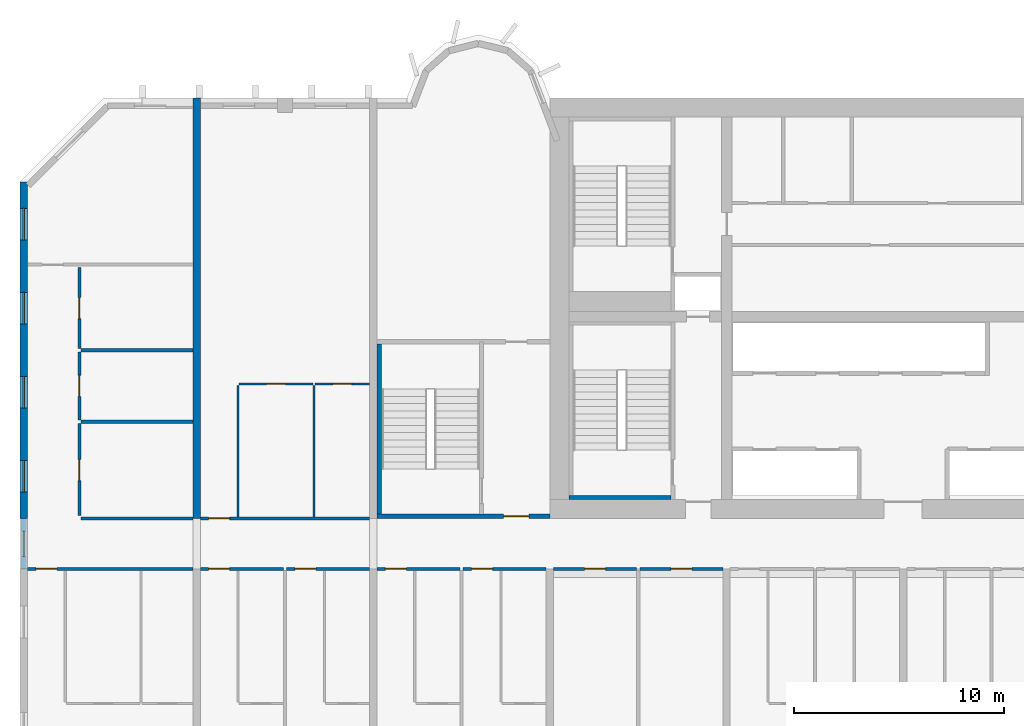
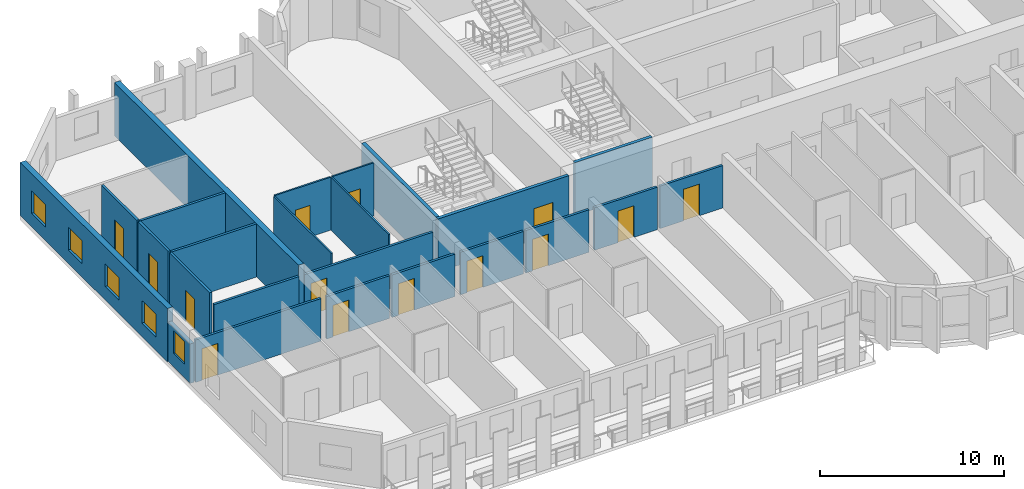
# One storey, part 3 of 14: 24 walls, 14 doors, 5 windows, 19 openings.
"""IFC4 building model written with IfcOpenShell, lengths in metres."""

from ifc_helpers import new_model, si_unit, direction, frame, frame_2d, origin, place, context, subcontext, project, spatial, rectangle, extrude, source, transform, mapped, material, layer, layer_set, type_object, element, fill, save


model = new_model("IFC4")

# Units and contexts
model_context = context("Model", 3, precision=1e-05, world=origin(), true_north=direction((0.0, 1.0)))
body_context = subcontext(model_context, "Body", "Model", "MODEL_VIEW")
ifc_project = project(units=[si_unit("LENGTHUNIT", "METRE"), si_unit("AREAUNIT", "SQUARE_METRE"), si_unit("VOLUMEUNIT", "CUBIC_METRE"), si_unit("PLANEANGLEUNIT", "RADIAN"), si_unit("MASSUNIT", "GRAM", prefix="KILO")], contexts=[model_context])

# Site, building, storey
site_placement = place(None, origin())
site = spatial("IfcSite", under=ifc_project, at=site_placement, CompositionType="ELEMENT")
building_placement = place(site_placement, origin())
building = spatial("IfcBuilding", under=site, at=building_placement, Name="Vanashikhar Sky Hotel", CompositionType="ELEMENT")
storey_placement = place(building_placement, frame((0.0, 0.0, 129.39990234375)))
storey = spatial("IfcBuildingStorey", under=building, at=storey_placement, Name="L31", CompositionType="ELEMENT", Elevation=129.39990234375)

# Wall, openings, windows
ifc_material_1 = material(Name="Concrete M70", Category="concrete")
ifc_layer_1 = layer(ifc_material_1, 0.35009765625)
ifc_layer_set_1 = layer_set([ifc_layer_1], Name="RC shear wall 350 Concrete M70")
wall_type_1 = type_object("IfcWallType", Name="RC shear wall 350 Concrete M70", PredefinedType="SHEAR", material=ifc_layer_set_1)
shared_shape_1 = source(origin(), body_context, "Body", "SweptSolid", [
    extrude(rectangle(XDim=16.0, YDim=0.35009765625, at=frame_2d((8.0, 0.0))), origin(), (0.0, 0.0, 1.0), 3.52001953125),
])
wall_1_placement = place(storey_placement, frame((0.175048828125, 22.0, 0.0), z_axis=(0.0, 0.0, 1.0), x_axis=(0.0, 1.0, 0.0)))
wall_1 = element("IfcWall", 1, at=wall_1_placement, inside=storey, type_object=wall_type_1, Name="CW-L31-XW01-2", PredefinedType="SHEAR", context=body_context, shape_type="MappedRepresentation", body=[
    mapped(shared_shape_1, transform((0.0, 0.0, 0.0), scale=1.0)),
])
shared_shape_2 = source(origin(), body_context, "Body", "SweptSolid", [
    extrude(rectangle(XDim=1.5, YDim=1.5, at=frame_2d((0.75, 0.75))), frame((0.0, 0.18505859375, 0.0), z_axis=(0.0, -1.0, 0.0), x_axis=(1.0, 0.0, 0.0)), (0.0, 0.0, 1.0), 0.3701171875),
])
opening_1_placement = place(wall_1_placement, frame((1.25, 0.0, 0.89990234375)))
opening_1 = element("IfcOpeningElement", 2, at=opening_1_placement, cuts=wall_1, Name="Opening WN-1", PredefinedType="OPENING", context=body_context, shape_type="MappedRepresentation", body=[
    mapped(shared_shape_2, transform((0.0, 0.0, 0.0), scale=1.0)),
])
opening_2_placement = place(wall_1_placement, frame((5.25, 0.0, 0.89990234375)))
opening_2 = element("IfcOpeningElement", 3, at=opening_2_placement, cuts=wall_1, Name="Opening WN-1", PredefinedType="OPENING", context=body_context, shape_type="MappedRepresentation", body=[
    mapped(shared_shape_2, transform((0.0, 0.0, 0.0), scale=1.0)),
])
opening_3_placement = place(wall_1_placement, frame((9.25, 0.0, 0.89990234375)))
opening_3 = element("IfcOpeningElement", 4, at=opening_3_placement, cuts=wall_1, Name="Opening WN-1", PredefinedType="OPENING", context=body_context, shape_type="MappedRepresentation", body=[
    mapped(shared_shape_2, transform((0.0, 0.0, 0.0), scale=1.0)),
])
opening_4_placement = place(wall_1_placement, frame((13.25, 0.0, 0.89990234375)))
opening_4 = element("IfcOpeningElement", 5, at=opening_4_placement, cuts=wall_1, Name="Opening WN-1", PredefinedType="OPENING", context=body_context, shape_type="MappedRepresentation", body=[
    mapped(shared_shape_2, transform((0.0, 0.0, 0.0), scale=1.0)),
])
ifc_material_2 = material(Name="Glass", Category="glass")
window_type_1 = type_object("IfcWindowType", Name="Window 1500 x 1500", PartitioningType="SINGLE_PANEL", PredefinedType="WINDOW", material=ifc_material_2)
shared_shape_3 = source(origin(), body_context, "Body", "SweptSolid", [
    extrude(rectangle(XDim=1.5, YDim=1.5, at=frame_2d((0.75, 0.75))), frame((0.0, 0.030029296875, 0.0), z_axis=(0.0, -1.0, 0.0), x_axis=(1.0, 0.0, 0.0)), (0.0, 0.0, 1.0), 0.06005859375),
])
window_1_placement = place(opening_1_placement, origin())
window_1 = element("IfcWindow", 6, at=window_1_placement, inside=storey, type_object=window_type_1, Name="Window WN-1", OverallHeight=1.5, OverallWidth=1.5, PartitioningType="SINGLE_PANEL", PredefinedType="WINDOW", context=body_context, shape_type="MappedRepresentation", body=[
    mapped(shared_shape_3, transform((0.0, 0.0, 0.0), scale=1.0)),
])
fill(opening_1, window_1)
window_2_placement = place(opening_2_placement, origin())
window_2 = element("IfcWindow", 7, at=window_2_placement, inside=storey, type_object=window_type_1, Name="Window WN-1", OverallHeight=1.5, OverallWidth=1.5, PartitioningType="SINGLE_PANEL", PredefinedType="WINDOW", context=body_context, shape_type="MappedRepresentation", body=[
    mapped(shared_shape_3, transform((0.0, 0.0, 0.0), scale=1.0)),
])
fill(opening_2, window_2)
window_3_placement = place(opening_3_placement, origin())
window_3 = element("IfcWindow", 8, at=window_3_placement, inside=storey, type_object=window_type_1, Name="Window WN-1", OverallHeight=1.5, OverallWidth=1.5, PartitioningType="SINGLE_PANEL", PredefinedType="WINDOW", context=body_context, shape_type="MappedRepresentation", body=[
    mapped(shared_shape_3, transform((0.0, 0.0, 0.0), scale=1.0)),
])
fill(opening_3, window_3)
window_4_placement = place(opening_4_placement, origin())
window_4 = element("IfcWindow", 9, at=window_4_placement, inside=storey, type_object=window_type_1, Name="Window WN-1", OverallHeight=1.5, OverallWidth=1.5, PartitioningType="SINGLE_PANEL", PredefinedType="WINDOW", context=body_context, shape_type="MappedRepresentation", body=[
    mapped(shared_shape_3, transform((0.0, 0.0, 0.0), scale=1.0)),
])
fill(opening_4, window_4)

# Wall
shared_shape_4 = source(origin(), body_context, "Body", "SweptSolid", [
    extrude(rectangle(XDim=20.0, YDim=0.35009765625, at=frame_2d((10.0, 0.0))), origin(), (0.0, 0.0, 1.0), 3.52001953125),
])
wall_2_placement = place(storey_placement, frame((8.39990234375, 22.0, 0.0), z_axis=(0.0, 0.0, 1.0), x_axis=(0.0, 1.0, 0.0)))
element("IfcWall", 10, at=wall_2_placement, inside=storey, type_object=wall_type_1, Name="CW-L31-XW02-2", PredefinedType="SHEAR", context=body_context, shape_type="MappedRepresentation", body=[
    mapped(shared_shape_4, transform((0.0, 0.0, 0.0), scale=1.0)),
])

# Wall, opening, window
ifc_material_3 = material(Name="Concrete M50", Category="concrete")
ifc_layer_2 = layer(ifc_material_3, 0.25)
ifc_layer_set_2 = layer_set([ifc_layer_2], Name="Rear and end board-marked wall 250")
wall_type_2 = type_object("IfcWallType", Name="Rear and end board-marked wall 250", PredefinedType="SOLIDWALL", material=ifc_layer_set_2)
shared_shape_5 = source(origin(), body_context, "Body", "SweptSolid", [
    extrude(rectangle(XDim=2.39990234375, YDim=0.25, at=frame_2d((1.199951171875, 0.0))), origin(), (0.0, 0.0, 1.0), 2.6201171875),
])
wall_3_placement = place(storey_placement, frame((0.175048828125, 19.60009765625, 0.0), z_axis=(0.0, 0.0, 1.0), x_axis=(0.0, 1.0, 0.0)))
wall_3 = element("IfcWall", 11, at=wall_3_placement, inside=storey, type_object=wall_type_2, Name="End corridor infill wall", PredefinedType="SOLIDWALL", context=body_context, shape_type="MappedRepresentation", body=[
    mapped(shared_shape_5, transform((0.0, 0.0, 0.0), scale=1.0)),
])
shared_shape_6 = source(origin(), body_context, "Body", "SweptSolid", [
    extrude(rectangle(XDim=1.199951171875, YDim=1.5, at=frame_2d((0.60009765625, 0.75))), frame((0.0, 0.135009765625, 0.0), z_axis=(0.0, -1.0, 0.0), x_axis=(1.0, 0.0, 0.0)), (0.0, 0.0, 1.0), 0.27001953125),
])
opening_5_placement = place(wall_3_placement, frame((0.60009765625, 0.0, 0.89990234375)))
opening_5 = element("IfcOpeningElement", 12, at=opening_5_placement, cuts=wall_3, Name="Opening WN-3", PredefinedType="OPENING", context=body_context, shape_type="MappedRepresentation", body=[
    mapped(shared_shape_6, transform((0.0, 0.0, 0.0), scale=1.0)),
])
window_type_2 = type_object("IfcWindowType", Name="Corridor end window 1200 x 1500", PartitioningType="SINGLE_PANEL", PredefinedType="WINDOW", material=ifc_material_2)
shared_shape_7 = source(origin(), body_context, "Body", "SweptSolid", [
    extrude(rectangle(XDim=1.199951171875, YDim=1.5, at=frame_2d((0.60009765625, 0.75))), frame((0.0, 0.030029296875, 0.0), z_axis=(0.0, -1.0, 0.0), x_axis=(1.0, 0.0, 0.0)), (0.0, 0.0, 1.0), 0.06005859375),
])
window_5_placement = place(opening_5_placement, origin())
window_5 = element("IfcWindow", 13, at=window_5_placement, inside=storey, type_object=window_type_2, Name="Window WN-3", OverallHeight=1.5, OverallWidth=1.199951171875, PartitioningType="SINGLE_PANEL", PredefinedType="WINDOW", context=body_context, shape_type="MappedRepresentation", body=[
    mapped(shared_shape_7, transform((0.0, 0.0, 0.0), scale=1.0)),
])
fill(opening_5, window_5)

# Wall, opening, door
ifc_layer_3 = layer(ifc_material_3, 0.199951171875)
ifc_layer_set_3 = layer_set([ifc_layer_3], Name="Stair wall 200")
wall_type_3 = type_object("IfcWallType", Name="Stair wall 200", PredefinedType="SOLIDWALL", material=ifc_layer_set_3)
shared_shape_8 = source(origin(), body_context, "Body", "SweptSolid", [
    extrude(rectangle(XDim=8.224853515625, YDim=0.199951171875, at=frame_2d((4.1123046875, 0.0))), origin(), (0.0, 0.0, 1.0), 3.52001953125),
])
wall_4_placement = place(storey_placement, frame((16.97509765625, 22.10009765625, 0.0), z_axis=(0.0, 0.0, 1.0), x_axis=(1.0, 0.0, 0.0)))
wall_4 = element("IfcWall", 14, at=wall_4_placement, inside=storey, type_object=wall_type_3, Name="Stair wall 200", PredefinedType="SOLIDWALL", context=body_context, shape_type="MappedRepresentation", body=[
    mapped(shared_shape_8, transform((0.0, 0.0, 0.0), scale=1.0)),
])
shared_shape_9 = source(origin(), body_context, "Body", "SweptSolid", [
    extrude(rectangle(XDim=1.199951171875, YDim=2.10009765625, at=frame_2d((0.60009765625, 1.050048828125))), frame((0.0, 0.10986328125, 0.0), z_axis=(0.0, -1.0, 0.0), x_axis=(1.0, 0.0, 0.0)), (0.0, 0.0, 1.0), 0.219970703125),
])
opening_6_placement = place(wall_4_placement, frame((6.02490234375, 0.0, 0.0)))
opening_6 = element("IfcOpeningElement", 15, at=opening_6_placement, cuts=wall_4, Name="Opening DC-2", PredefinedType="OPENING", context=body_context, shape_type="MappedRepresentation", body=[
    mapped(shared_shape_9, transform((0.0, 0.0, 0.0), scale=1.0)),
])
ifc_material_4 = material(Name="Steel", Category="steel")
door_type_1 = type_object("IfcDoorType", Name="Firefighting lobby door 1200 FD120", OperationType="NOTDEFINED", PredefinedType="DOOR", material=ifc_material_4)
shared_shape_10 = source(origin(), body_context, "Body", "SweptSolid", [
    extrude(rectangle(XDim=1.199951171875, YDim=2.10009765625, at=frame_2d((0.60009765625, 1.050048828125))), frame((0.0, 0.02490234375, 0.0), z_axis=(0.0, -1.0, 0.0), x_axis=(1.0, 0.0, 0.0)), (0.0, 0.0, 1.0), 0.050048828125),
])
door_1_placement = place(opening_6_placement, origin())
door_1 = element("IfcDoor", 16, at=door_1_placement, inside=storey, type_object=door_type_1, Name="Firefighting lobby door 1200 FD120", OperationType="SINGLE_SWING_RIGHT", OverallHeight=2.10009765625, OverallWidth=1.199951171875, PredefinedType="DOOR", context=body_context, shape_type="MappedRepresentation", body=[
    mapped(shared_shape_10, transform((0.0, 0.0, 0.0), scale=1.0)),
])
fill(opening_6, door_1)

# Walls
ifc_layer_4 = layer(ifc_material_3, 0.199951171875)
ifc_layer_set_4 = layer_set([ifc_layer_4], Name="Stair infill wall 200")
wall_type_4 = type_object("IfcWallType", Name="Stair infill wall 200", PredefinedType="SOLIDWALL", material=ifc_layer_set_4)
shared_shape_11 = source(origin(), body_context, "Body", "SweptSolid", [
    extrude(rectangle(XDim=4.849853515625, YDim=0.199951171875, at=frame_2d((2.4248046875, 0.0))), origin(), (0.0, 0.0, 1.0), 3.52001953125),
])
wall_5_placement = place(storey_placement, frame((26.10009765625, 23.0, 0.0), z_axis=(0.0, 0.0, 1.0), x_axis=(1.0, 0.0, 0.0)))
element("IfcWall", 17, at=wall_5_placement, inside=storey, type_object=wall_type_4, Name="Stair infill wall 200", PredefinedType="SOLIDWALL", context=body_context, shape_type="MappedRepresentation", body=[
    mapped(shared_shape_11, transform((0.0, 0.0, 0.0), scale=1.0)),
])
ifc_layer_5 = layer(ifc_material_3, 0.22509765625)
ifc_layer_set_5 = layer_set([ifc_layer_5], Name="Stair infill wall 225")
wall_type_5 = type_object("IfcWallType", Name="Stair infill wall 225", PredefinedType="SOLIDWALL", material=ifc_layer_set_5)
shared_shape_12 = source(origin(), body_context, "Body", "SweptSolid", [
    extrude(rectangle(XDim=8.10009765625, YDim=0.22509765625, at=frame_2d((4.050048828125, 0.0))), origin(), (0.0, 0.0, 1.0), 3.52001953125),
])
wall_6_placement = place(storey_placement, frame((17.0869140625, 22.199951171875, 0.0), z_axis=(0.0, 0.0, 1.0), x_axis=(0.0, 1.0, 0.0)))
element("IfcWall", 18, at=wall_6_placement, inside=storey, type_object=wall_type_5, Name="Stair infill wall 225", PredefinedType="SOLIDWALL", context=body_context, shape_type="MappedRepresentation", body=[
    mapped(shared_shape_12, transform((0.0, 0.0, 0.0), scale=1.0)),
])

# Wall, opening, door
ifc_material_5 = material(Name="Gypsum plasterboard partition")
ifc_layer_6 = layer(ifc_material_5, 0.14990234375)
ifc_layer_set_6 = layer_set([ifc_layer_6], Name="Corridor and demising partition 150")
wall_type_6 = type_object("IfcWallType", Name="Corridor and demising partition 150", PredefinedType="PARTITIONING", material=ifc_layer_set_6)
shared_shape_13 = source(origin(), body_context, "Body", "SweptSolid", [
    extrude(rectangle(XDim=4.375, YDim=0.14990234375, at=frame_2d((2.1875, 0.0))), origin(), (0.0, 0.0, 1.0), 3.52001953125),
])
wall_7_placement = place(storey_placement, frame((2.824951171875, 22.14990234375, 0.0), z_axis=(0.0, 0.0, 1.0), x_axis=(0.0, 1.0, 0.0)))
wall_7 = element("IfcWall", 19, at=wall_7_placement, inside=storey, type_object=wall_type_6, Name="W-L31-PW072", PredefinedType="PARTITIONING", context=body_context, shape_type="MappedRepresentation", body=[
    mapped(shared_shape_13, transform((0.0, 0.0, 0.0), scale=1.0)),
])
shared_shape_14 = source(origin(), body_context, "Body", "SweptSolid", [
    extrude(rectangle(XDim=1.0, YDim=2.10009765625, at=frame_2d((0.5, 1.050048828125))), frame((0.0, 0.0849609375, 0.0), z_axis=(0.0, -1.0, 0.0), x_axis=(1.0, 0.0, 0.0)), (0.0, 0.0, 1.0), 0.169921875),
])
opening_7_placement = place(wall_7_placement, frame((1.64990234375, 0.0, 0.0)))
opening_7 = element("IfcOpeningElement", 20, at=opening_7_placement, cuts=wall_7, Name="Opening D-01", PredefinedType="OPENING", context=body_context, shape_type="MappedRepresentation", body=[
    mapped(shared_shape_14, transform((0.0, 0.0, 0.0), scale=1.0)),
])
ifc_material_6 = material(Name="Timber fire door", Category="wood")
door_type_2 = type_object("IfcDoorType", Name="Guest entry door 1000 FD30S", OperationType="NOTDEFINED", PredefinedType="DOOR", material=ifc_material_6)
shared_shape_15 = source(origin(), body_context, "Body", "SweptSolid", [
    extrude(rectangle(XDim=1.0, YDim=2.10009765625, at=frame_2d((0.5, 1.050048828125))), frame((0.0, 0.02490234375, 0.0), z_axis=(0.0, -1.0, 0.0), x_axis=(1.0, 0.0, 0.0)), (0.0, 0.0, 1.0), 0.050048828125),
])
door_2_placement = place(opening_7_placement, origin())
door_2 = element("IfcDoor", 21, at=door_2_placement, inside=storey, type_object=door_type_2, Name="D-L31-041", OperationType="SINGLE_SWING_LEFT", OverallHeight=2.10009765625, OverallWidth=1.0, PredefinedType="DOOR", context=body_context, shape_type="MappedRepresentation", body=[
    mapped(shared_shape_15, transform((0.0, 0.0, 0.0), scale=1.0)),
])
fill(opening_7, door_2)

shared_shape_16 = source(origin(), body_context, "Body", "SweptSolid", [
    extrude(rectangle(XDim=3.25, YDim=0.14990234375, at=frame_2d((1.625, 0.0))), origin(), (0.0, 0.0, 1.0), 3.52001953125),
])
wall_8_placement = place(storey_placement, frame((2.824951171875, 26.675048828125, 0.0), z_axis=(0.0, 0.0, 1.0), x_axis=(0.0, 1.0, 0.0)))
wall_8 = element("IfcWall", 22, at=wall_8_placement, inside=storey, type_object=wall_type_6, Name="W-L31-PW074", PredefinedType="PARTITIONING", context=body_context, shape_type="MappedRepresentation", body=[
    mapped(shared_shape_16, transform((0.0, 0.0, 0.0), scale=1.0)),
])
opening_8_placement = place(wall_8_placement, frame((1.125, 0.0, 0.0)))
opening_8 = element("IfcOpeningElement", 23, at=opening_8_placement, cuts=wall_8, Name="Opening D-01", PredefinedType="OPENING", context=body_context, shape_type="MappedRepresentation", body=[
    mapped(shared_shape_14, transform((0.0, 0.0, 0.0), scale=1.0)),
])
door_3_placement = place(opening_8_placement, origin())
door_3 = element("IfcDoor", 24, at=door_3_placement, inside=storey, type_object=door_type_2, Name="D-L31-042", OperationType="SINGLE_SWING_LEFT", OverallHeight=2.10009765625, OverallWidth=1.0, PredefinedType="DOOR", context=body_context, shape_type="MappedRepresentation", body=[
    mapped(shared_shape_15, transform((0.0, 0.0, 0.0), scale=1.0)),
])
fill(opening_8, door_3)

shared_shape_17 = source(origin(), body_context, "Body", "SweptSolid", [
    extrude(rectangle(XDim=3.85009765625, YDim=0.14990234375, at=frame_2d((1.925048828125, 0.0))), origin(), (0.0, 0.0, 1.0), 3.52001953125),
])
wall_9_placement = place(storey_placement, frame((2.824951171875, 30.074951171875, 0.0), z_axis=(0.0, 0.0, 1.0), x_axis=(0.0, 1.0, 0.0)))
wall_9 = element("IfcWall", 25, at=wall_9_placement, inside=storey, type_object=wall_type_6, Name="W-L31-PW076", PredefinedType="PARTITIONING", context=body_context, shape_type="MappedRepresentation", body=[
    mapped(shared_shape_17, transform((0.0, 0.0, 0.0), scale=1.0)),
])
opening_9_placement = place(wall_9_placement, frame((1.425048828125, 0.0, 0.0)))
opening_9 = element("IfcOpeningElement", 26, at=opening_9_placement, cuts=wall_9, Name="Opening D-01", PredefinedType="OPENING", context=body_context, shape_type="MappedRepresentation", body=[
    mapped(shared_shape_14, transform((0.0, 0.0, 0.0), scale=1.0)),
])
door_4_placement = place(opening_9_placement, origin())
door_4 = element("IfcDoor", 27, at=door_4_placement, inside=storey, type_object=door_type_2, Name="D-L31-043", OperationType="SINGLE_SWING_LEFT", OverallHeight=2.10009765625, OverallWidth=1.0, PredefinedType="DOOR", context=body_context, shape_type="MappedRepresentation", body=[
    mapped(shared_shape_15, transform((0.0, 0.0, 0.0), scale=1.0)),
])
fill(opening_9, door_4)

ifc_layer_7 = layer(ifc_material_5, 0.10009765625)
ifc_layer_set_7 = layer_set([ifc_layer_7], Name="Wet room partition 100")
wall_type_7 = type_object("IfcWallType", Name="Wet room partition 100", PredefinedType="PARTITIONING", material=ifc_layer_set_7)
shared_shape_18 = source(origin(), body_context, "Body", "SweptSolid", [
    extrude(rectangle(XDim=3.5, YDim=0.10009765625, at=frame_2d((1.75, 0.0))), origin(), (0.0, 0.0, 1.0), 3.52001953125),
])
wall_10_placement = place(storey_placement, frame((10.425048828125, 28.39990234375, 0.0), z_axis=(0.0, 0.0, 1.0), x_axis=(1.0, 0.0, 0.0)))
wall_10 = element("IfcWall", 28, at=wall_10_placement, inside=storey, type_object=wall_type_7, Name="W-L31-PW080", PredefinedType="PARTITIONING", context=body_context, shape_type="MappedRepresentation", body=[
    mapped(shared_shape_18, transform((0.0, 0.0, 0.0), scale=1.0)),
])
shared_shape_19 = source(origin(), body_context, "Body", "SweptSolid", [
    extrude(rectangle(XDim=0.89990234375, YDim=2.10009765625, at=frame_2d((0.449951171875, 1.050048828125))), frame((0.0, 0.06005859375, 0.0), z_axis=(0.0, -1.0, 0.0), x_axis=(1.0, 0.0, 0.0)), (0.0, 0.0, 1.0), 0.1201171875),
])
opening_10_placement = place(wall_10_placement, frame((1.300048828125, 0.0, 0.0)))
opening_10 = element("IfcOpeningElement", 29, at=opening_10_placement, cuts=wall_10, Name="Opening D-02", PredefinedType="OPENING", context=body_context, shape_type="MappedRepresentation", body=[
    mapped(shared_shape_19, transform((0.0, 0.0, 0.0), scale=1.0)),
])
ifc_material_7 = material(Name="Timber door", Category="wood")
door_type_3 = type_object("IfcDoorType", Name="Internal door 900", OperationType="NOTDEFINED", PredefinedType="DOOR", material=ifc_material_7)
shared_shape_20 = source(origin(), body_context, "Body", "SweptSolid", [
    extrude(rectangle(XDim=0.89990234375, YDim=2.10009765625, at=frame_2d((0.449951171875, 1.050048828125))), frame((0.0, 0.02490234375, 0.0), z_axis=(0.0, -1.0, 0.0), x_axis=(1.0, 0.0, 0.0)), (0.0, 0.0, 1.0), 0.050048828125),
])
door_5_placement = place(opening_10_placement, origin())
door_5 = element("IfcDoor", 30, at=door_5_placement, inside=storey, type_object=door_type_3, Name="D-L31-045", OperationType="SINGLE_SWING_LEFT", OverallHeight=2.10009765625, OverallWidth=0.89990234375, PredefinedType="DOOR", context=body_context, shape_type="MappedRepresentation", body=[
    mapped(shared_shape_20, transform((0.0, 0.0, 0.0), scale=1.0)),
])
fill(opening_10, door_5)

# Walls
shared_shape_21 = source(origin(), body_context, "Body", "SweptSolid", [
    extrude(rectangle(XDim=6.25, YDim=0.10009765625, at=frame_2d((3.125, 0.0))), origin(), (0.0, 0.0, 1.0), 3.52001953125),
])
for number, where, z_axis, x_axis, name in (
    (31, (10.375, 22.074951171875, 0.0), (0.0, 0.0, 1.0), (0.0, 1.0, 0.0), "W-L31-PW078"),
    (32, (13.97509765625, 22.074951171875, 0.0), (0.0, 0.0, 1.0), (0.0, 1.0, 0.0), "W-L31-PW079"),
):
    element("IfcWall", number, at=place(storey_placement, frame(where, z_axis=z_axis, x_axis=x_axis)), inside=storey, type_object=wall_type_7, Name=name, PredefinedType="PARTITIONING", context=body_context, shape_type="MappedRepresentation", body=[
        mapped(shared_shape_21, transform((0.0, 0.0, 0.0), scale=1.0)),
    ])

# Wall, opening, door
shared_shape_22 = source(origin(), body_context, "Body", "SweptSolid", [
    extrude(rectangle(XDim=2.60009765625, YDim=0.10009765625, at=frame_2d((1.300048828125, 0.0))), origin(), (0.0, 0.0, 1.0), 3.52001953125),
])
wall_11_placement = place(storey_placement, frame((14.02490234375, 28.39990234375, 0.0), z_axis=(0.0, 0.0, 1.0), x_axis=(1.0, 0.0, 0.0)))
wall_11 = element("IfcWall", 33, at=wall_11_placement, inside=storey, type_object=wall_type_7, Name="W-L31-PW081", PredefinedType="PARTITIONING", context=body_context, shape_type="MappedRepresentation", body=[
    mapped(shared_shape_22, transform((0.0, 0.0, 0.0), scale=1.0)),
])
opening_11_placement = place(wall_11_placement, frame((0.85009765625, 0.0, 0.0)))
opening_11 = element("IfcOpeningElement", 34, at=opening_11_placement, cuts=wall_11, Name="Opening D-02", PredefinedType="OPENING", context=body_context, shape_type="MappedRepresentation", body=[
    mapped(shared_shape_19, transform((0.0, 0.0, 0.0), scale=1.0)),
])
door_6_placement = place(opening_11_placement, origin())
door_6 = element("IfcDoor", 35, at=door_6_placement, inside=storey, type_object=door_type_3, Name="D-L31-046", OperationType="SINGLE_SWING_LEFT", OverallHeight=2.10009765625, OverallWidth=0.89990234375, PredefinedType="DOOR", context=body_context, shape_type="MappedRepresentation", body=[
    mapped(shared_shape_20, transform((0.0, 0.0, 0.0), scale=1.0)),
])
fill(opening_11, door_6)

shared_shape_23 = source(origin(), body_context, "Body", "SweptSolid", [
    extrude(rectangle(XDim=8.050048828125, YDim=0.14990234375, at=frame_2d((4.02490234375, 0.0))), origin(), (0.0, 0.0, 1.0), 2.820068359375),
])
wall_12_placement = place(storey_placement, frame((8.574951171875, 22.0, 0.0), z_axis=(0.0, 0.0, 1.0), x_axis=(1.0, 0.0, 0.0)))
wall_12 = element("IfcWall", 36, at=wall_12_placement, inside=storey, type_object=wall_type_6, Name="W-L31-PW082", PredefinedType="PARTITIONING", context=body_context, shape_type="MappedRepresentation", body=[
    mapped(shared_shape_23, transform((0.0, 0.0, 0.0), scale=1.0)),
])
opening_12_placement = place(wall_12_placement, frame((0.39990234375, 0.0, 0.0)))
opening_12 = element("IfcOpeningElement", 37, at=opening_12_placement, cuts=wall_12, Name="Opening D-01", PredefinedType="OPENING", context=body_context, shape_type="MappedRepresentation", body=[
    mapped(shared_shape_14, transform((0.0, 0.0, 0.0), scale=1.0)),
])
door_7_placement = place(opening_12_placement, origin())
door_7 = element("IfcDoor", 38, at=door_7_placement, inside=storey, type_object=door_type_2, Name="D-L31-047", OperationType="SINGLE_SWING_LEFT", OverallHeight=2.10009765625, OverallWidth=1.0, PredefinedType="DOOR", context=body_context, shape_type="MappedRepresentation", body=[
    mapped(shared_shape_15, transform((0.0, 0.0, 0.0), scale=1.0)),
])
fill(opening_12, door_7)

shared_shape_24 = source(origin(), body_context, "Body", "SweptSolid", [
    extrude(rectangle(XDim=3.949951171875, YDim=0.14990234375, at=frame_2d((1.97509765625, 0.0))), origin(), (0.0, 0.0, 1.0), 2.820068359375),
])
wall_13_placement = place(storey_placement, frame((8.574951171875, 19.60009765625, 0.0), z_axis=(0.0, 0.0, 1.0), x_axis=(1.0, 0.0, 0.0)))
wall_13 = element("IfcWall", 39, at=wall_13_placement, inside=storey, type_object=wall_type_6, Name="W-L31-PW008", PredefinedType="PARTITIONING", context=body_context, shape_type="MappedRepresentation", body=[
    mapped(shared_shape_24, transform((0.0, 0.0, 0.0), scale=1.0)),
])
opening_13_placement = place(wall_13_placement, frame((0.39990234375, 0.0, 0.0)))
opening_13 = element("IfcOpeningElement", 40, at=opening_13_placement, cuts=wall_13, Name="Opening D-01", PredefinedType="OPENING", context=body_context, shape_type="MappedRepresentation", body=[
    mapped(shared_shape_14, transform((0.0, 0.0, 0.0), scale=1.0)),
])
door_8_placement = place(opening_13_placement, origin())
door_8 = element("IfcDoor", 41, at=door_8_placement, inside=storey, type_object=door_type_2, Name="D-L31-005", OperationType="SINGLE_SWING_LEFT", OverallHeight=2.10009765625, OverallWidth=1.0, PredefinedType="DOOR", context=body_context, shape_type="MappedRepresentation", body=[
    mapped(shared_shape_15, transform((0.0, 0.0, 0.0), scale=1.0)),
])
fill(opening_13, door_8)

wall_14_placement = place(storey_placement, frame((12.675048828125, 19.60009765625, 0.0), z_axis=(0.0, 0.0, 1.0), x_axis=(1.0, 0.0, 0.0)))
wall_14 = element("IfcWall", 42, at=wall_14_placement, inside=storey, type_object=wall_type_6, Name="W-L31-PW011", PredefinedType="PARTITIONING", context=body_context, shape_type="MappedRepresentation", body=[
    mapped(shared_shape_24, transform((0.0, 0.0, 0.0), scale=1.0)),
])
opening_14_placement = place(wall_14_placement, frame((0.39990234375, 0.0, 0.0)))
opening_14 = element("IfcOpeningElement", 43, at=opening_14_placement, cuts=wall_14, Name="Opening D-01", PredefinedType="OPENING", context=body_context, shape_type="MappedRepresentation", body=[
    mapped(shared_shape_14, transform((0.0, 0.0, 0.0), scale=1.0)),
])
door_9_placement = place(opening_14_placement, origin())
door_9 = element("IfcDoor", 44, at=door_9_placement, inside=storey, type_object=door_type_2, Name="D-L31-007", OperationType="SINGLE_SWING_LEFT", OverallHeight=2.10009765625, OverallWidth=1.0, PredefinedType="DOOR", context=body_context, shape_type="MappedRepresentation", body=[
    mapped(shared_shape_15, transform((0.0, 0.0, 0.0), scale=1.0)),
])
fill(opening_14, door_9)

wall_15_placement = place(storey_placement, frame((16.97509765625, 19.60009765625, 0.0), z_axis=(0.0, 0.0, 1.0), x_axis=(1.0, 0.0, 0.0)))
wall_15 = element("IfcWall", 45, at=wall_15_placement, inside=storey, type_object=wall_type_6, Name="W-L31-PW015", PredefinedType="PARTITIONING", context=body_context, shape_type="MappedRepresentation", body=[
    mapped(shared_shape_24, transform((0.0, 0.0, 0.0), scale=1.0)),
])
opening_15_placement = place(wall_15_placement, frame((0.39990234375, 0.0, 0.0)))
opening_15 = element("IfcOpeningElement", 46, at=opening_15_placement, cuts=wall_15, Name="Opening D-01", PredefinedType="OPENING", context=body_context, shape_type="MappedRepresentation", body=[
    mapped(shared_shape_14, transform((0.0, 0.0, 0.0), scale=1.0)),
])
door_10_placement = place(opening_15_placement, origin())
door_10 = element("IfcDoor", 47, at=door_10_placement, inside=storey, type_object=door_type_2, Name="D-L31-009", OperationType="SINGLE_SWING_LEFT", OverallHeight=2.10009765625, OverallWidth=1.0, PredefinedType="DOOR", context=body_context, shape_type="MappedRepresentation", body=[
    mapped(shared_shape_15, transform((0.0, 0.0, 0.0), scale=1.0)),
])
fill(opening_15, door_10)

wall_16_placement = place(storey_placement, frame((21.074951171875, 19.60009765625, 0.0), z_axis=(0.0, 0.0, 1.0), x_axis=(1.0, 0.0, 0.0)))
wall_16 = element("IfcWall", 48, at=wall_16_placement, inside=storey, type_object=wall_type_6, Name="W-L31-PW018", PredefinedType="PARTITIONING", context=body_context, shape_type="MappedRepresentation", body=[
    mapped(shared_shape_24, transform((0.0, 0.0, 0.0), scale=1.0)),
])
opening_16_placement = place(wall_16_placement, frame((0.39990234375, 0.0, 0.0)))
opening_16 = element("IfcOpeningElement", 49, at=opening_16_placement, cuts=wall_16, Name="Opening D-01", PredefinedType="OPENING", context=body_context, shape_type="MappedRepresentation", body=[
    mapped(shared_shape_14, transform((0.0, 0.0, 0.0), scale=1.0)),
])
door_11_placement = place(opening_16_placement, origin())
door_11 = element("IfcDoor", 50, at=door_11_placement, inside=storey, type_object=door_type_2, Name="D-L31-011", OperationType="SINGLE_SWING_LEFT", OverallHeight=2.10009765625, OverallWidth=1.0, PredefinedType="DOOR", context=body_context, shape_type="MappedRepresentation", body=[
    mapped(shared_shape_15, transform((0.0, 0.0, 0.0), scale=1.0)),
])
fill(opening_16, door_11)

wall_17_placement = place(storey_placement, frame((25.375, 19.60009765625, 0.0), z_axis=(0.0, 0.0, 1.0), x_axis=(1.0, 0.0, 0.0)))
wall_17 = element("IfcWall", 51, at=wall_17_placement, inside=storey, type_object=wall_type_6, Name="W-L31-PW020", PredefinedType="PARTITIONING", context=body_context, shape_type="MappedRepresentation", body=[
    mapped(shared_shape_24, transform((0.0, 0.0, 0.0), scale=1.0)),
])
opening_17_placement = place(wall_17_placement, frame((1.47509765625, 0.0, 0.0)))
opening_17 = element("IfcOpeningElement", 52, at=opening_17_placement, cuts=wall_17, Name="Opening D-01", PredefinedType="OPENING", context=body_context, shape_type="MappedRepresentation", body=[
    mapped(shared_shape_14, transform((0.0, 0.0, 0.0), scale=1.0)),
])
door_12_placement = place(opening_17_placement, origin())
door_12 = element("IfcDoor", 53, at=door_12_placement, inside=storey, type_object=door_type_2, Name="D-L31-012", OperationType="SINGLE_SWING_LEFT", OverallHeight=2.10009765625, OverallWidth=1.0, PredefinedType="DOOR", context=body_context, shape_type="MappedRepresentation", body=[
    mapped(shared_shape_15, transform((0.0, 0.0, 0.0), scale=1.0)),
])
fill(opening_17, door_12)

wall_18_placement = place(storey_placement, frame((29.47509765625, 19.60009765625, 0.0), z_axis=(0.0, 0.0, 1.0), x_axis=(1.0, 0.0, 0.0)))
wall_18 = element("IfcWall", 54, at=wall_18_placement, inside=storey, type_object=wall_type_6, Name="W-L31-PW021", PredefinedType="PARTITIONING", context=body_context, shape_type="MappedRepresentation", body=[
    mapped(shared_shape_24, transform((0.0, 0.0, 0.0), scale=1.0)),
])
opening_18_placement = place(wall_18_placement, frame((1.47509765625, 0.0, 0.0)))
opening_18 = element("IfcOpeningElement", 55, at=opening_18_placement, cuts=wall_18, Name="Opening D-01", PredefinedType="OPENING", context=body_context, shape_type="MappedRepresentation", body=[
    mapped(shared_shape_14, transform((0.0, 0.0, 0.0), scale=1.0)),
])
door_13_placement = place(opening_18_placement, origin())
door_13 = element("IfcDoor", 56, at=door_13_placement, inside=storey, type_object=door_type_2, Name="D-L31-013", OperationType="SINGLE_SWING_RIGHT", OverallHeight=2.10009765625, OverallWidth=1.0, PredefinedType="DOOR", context=body_context, shape_type="MappedRepresentation", body=[
    mapped(shared_shape_15, transform((0.0, 0.0, 0.0), scale=1.0)),
])
fill(opening_18, door_13)

# Walls
shared_shape_25 = source(origin(), body_context, "Body", "SweptSolid", [
    extrude(rectangle(XDim=5.3251953125, YDim=0.14990234375, at=frame_2d((2.66259765625, 0.0))), origin(), (0.0, 0.0, 1.0), 2.820068359375),
])
wall_19_placement = place(storey_placement, frame((2.89990234375, 22.0, 0.0), z_axis=(0.0, 0.0, 1.0), x_axis=(1.0, 0.0, 0.0)))
element("IfcWall", 57, at=wall_19_placement, inside=storey, type_object=wall_type_6, Name="W-L31-PW071", PredefinedType="PARTITIONING", context=body_context, shape_type="MappedRepresentation", body=[
    mapped(shared_shape_25, transform((0.0, 0.0, 0.0), scale=1.0)),
])
shared_shape_26 = source(origin(), body_context, "Body", "SweptSolid", [
    extrude(rectangle(XDim=5.3251953125, YDim=0.14990234375, at=frame_2d((2.66259765625, 0.0))), origin(), (0.0, 0.0, 1.0), 3.52001953125),
])
for number, where, z_axis, x_axis, name in (
    (58, (2.89990234375, 26.60009765625, 0.0), (0.0, 0.0, 1.0), (1.0, 0.0, 0.0), "W-L31-PW073"),
    (59, (2.89990234375, 30.0, 0.0), (0.0, 0.0, 1.0), (1.0, 0.0, 0.0), "W-L31-PW075"),
):
    element("IfcWall", number, at=place(storey_placement, frame(where, z_axis=z_axis, x_axis=x_axis)), inside=storey, type_object=wall_type_6, Name=name, PredefinedType="PARTITIONING", context=body_context, shape_type="MappedRepresentation", body=[
        mapped(shared_shape_26, transform((0.0, 0.0, 0.0), scale=1.0)),
    ])

# Wall, opening, door
shared_shape_27 = source(origin(), body_context, "Body", "SweptSolid", [
    extrude(rectangle(XDim=7.875, YDim=0.14990234375, at=frame_2d((3.9375, 0.0))), origin(), (0.0, 0.0, 1.0), 2.820068359375),
])
wall_20_placement = place(storey_placement, frame((0.35009765625, 19.60009765625, 0.0), z_axis=(0.0, 0.0, 1.0), x_axis=(1.0, 0.0, 0.0)))
wall_20 = element("IfcWall", 60, at=wall_20_placement, inside=storey, type_object=wall_type_6, Name="W-L31-PW005", PredefinedType="PARTITIONING", context=body_context, shape_type="MappedRepresentation", body=[
    mapped(shared_shape_27, transform((0.0, 0.0, 0.0), scale=1.0)),
])
opening_19_placement = place(wall_20_placement, frame((0.39990234375, 0.0, 0.0)))
opening_19 = element("IfcOpeningElement", 61, at=opening_19_placement, cuts=wall_20, Name="Opening D-01", PredefinedType="OPENING", context=body_context, shape_type="MappedRepresentation", body=[
    mapped(shared_shape_14, transform((0.0, 0.0, 0.0), scale=1.0)),
])
door_14_placement = place(opening_19_placement, origin())
door_14 = element("IfcDoor", 62, at=door_14_placement, inside=storey, type_object=door_type_2, Name="D-L31-003", OperationType="SINGLE_SWING_LEFT", OverallHeight=2.10009765625, OverallWidth=1.0, PredefinedType="DOOR", context=body_context, shape_type="MappedRepresentation", body=[
    mapped(shared_shape_15, transform((0.0, 0.0, 0.0), scale=1.0)),
])
fill(opening_19, door_14)

save(model, "model.ifc")
